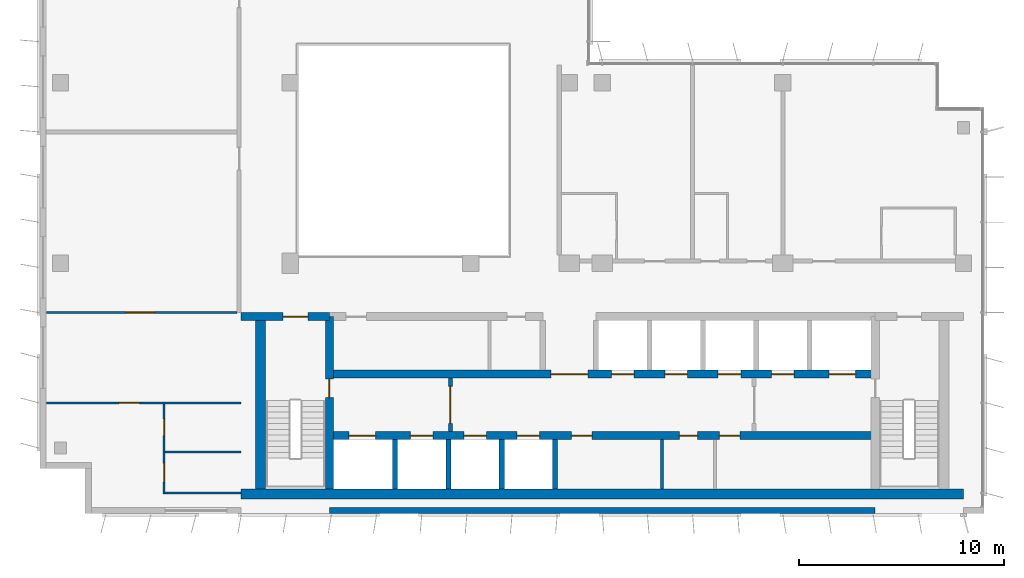
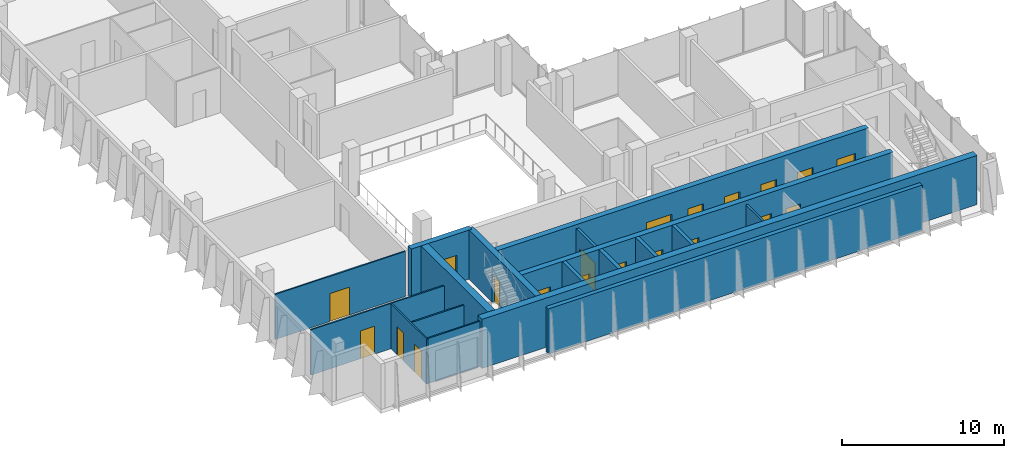
# One storey, part 9 of 15: 20 doors, 18 walls, 20 openings.
"""IFC4 building model written with IfcOpenShell, lengths in metres."""

import ifcopenshell
import ifcopenshell.guid

model = None  # the IFC model being written
_history = None  # IfcOwnerHistory: only IFC2X3 demands one
_inside = {}  # id of a spatial element -> (the spatial element, [elements in it])
_under = {}  # id of a project, library or spatial element -> (it, [spatial elements below it])
_declared = {}  # id of a project -> (the project, [libraries it declares])
_typed = {}  # id of a type object -> (the type object, [elements of that type])
_made_of = {}  # id of a material, layer set ... -> (it, [elements and type objects made of it])


def new_model(schema):
    """Start an empty IFC model of exactly this schema.

    Asked for "IFC4X3", IfcOpenShell would pick the latest addendum, in which some entities
    have other attributes; the version numbers below select the first issue.
    IFC2X3 requires an IfcOwnerHistory on every rooted entity: one is made here for all.
    """
    global model, _history
    if schema == "IFC4X3":
        model = ifcopenshell.file(schema_version=(4, 3, 0, 0))
    else:
        model = ifcopenshell.file(schema=schema)
    _inside.clear()
    _under.clear()
    _declared.clear()
    _typed.clear()
    _made_of.clear()
    _history = None
    if model.schema == "IFC2X3":
        org = make("IfcOrganization", Name="unknown")
        user = make(
            "IfcPersonAndOrganization",
            ThePerson=make("IfcPerson", FamilyName="unknown"),
            TheOrganization=org,
        )
        app = make(
            "IfcApplication",
            ApplicationDeveloper=org,
            Version="unknown",
            ApplicationFullName="unknown",
            ApplicationIdentifier="unknown",
        )
        _history = make(
            "IfcOwnerHistory",
            OwningUser=user,
            OwningApplication=app,
            ChangeAction="ADDED",
            CreationDate=0,
        )
    return model


def make(cls, **values):
    """One entity of the class cls with the attributes given. An attribute that is None is left unset."""
    return model.create_entity(
        cls, **{name: value for name, value in values.items() if value is not None}
    )


def rooted(cls, **values):
    """An entity with a GlobalId (a new one), such as an element, a storey or a relation."""
    return make(cls, GlobalId=ifcopenshell.guid.new(), OwnerHistory=_history, **values)


def si_unit(unit_type, name, prefix=None):
    """IfcSIUnit, for example si_unit("LENGTHUNIT", "METRE", prefix="MILLI")."""
    return make("IfcSIUnit", UnitType=unit_type, Prefix=prefix, Name=name)


def assignment(units):
    """IfcUnitAssignment: the units of a project."""
    return None if units is None else make("IfcUnitAssignment", Units=units)


def point(xyz):
    """IfcCartesianPoint."""
    return None if xyz is None else make("IfcCartesianPoint", Coordinates=xyz)


def direction(xyz):
    """IfcDirection."""
    return None if xyz is None else make("IfcDirection", DirectionRatios=xyz)


def frame(location, z_axis=None, x_axis=None):
    """IfcAxis2Placement3D, a coordinate frame: its origin and axes. An axis left out is left unset."""
    return make(
        "IfcAxis2Placement3D",
        Location=point(location),
        Axis=direction(z_axis),
        RefDirection=direction(x_axis),
    )


def frame_2d(location, x_axis=None):
    """IfcAxis2Placement2D, a coordinate frame in the plane: its origin and x axis."""
    return make(
        "IfcAxis2Placement2D", Location=point(location), RefDirection=direction(x_axis)
    )


def origin():
    """The frame at (0, 0, 0) with its axes left unset."""
    return frame((0.0, 0.0, 0.0))


def place(relative_to, where):
    """IfcLocalPlacement: puts the frame where relative to a parent placement (None: the world)."""
    return make(
        "IfcLocalPlacement", PlacementRelTo=relative_to, RelativePlacement=where
    )


def context(
    kind, dimensions, precision=None, world=None, true_north=None, identifier=None
):
    """IfcGeometricRepresentationContext, for example the 3D "Model" context."""
    return make(
        "IfcGeometricRepresentationContext",
        ContextIdentifier=identifier,
        ContextType=kind,
        CoordinateSpaceDimension=dimensions,
        Precision=precision,
        WorldCoordinateSystem=world,
        TrueNorth=true_north,
    )


def subcontext(parent, identifier, kind, view, scale=None):
    """IfcGeometricRepresentationSubContext, for example "Body" below "Model"."""
    return make(
        "IfcGeometricRepresentationSubContext",
        ContextIdentifier=identifier,
        ContextType=kind,
        ParentContext=parent,
        TargetScale=scale,
        TargetView=view,
    )


def project(units=None, contexts=None):
    """IfcProject with its units and contexts."""
    return rooted(
        "IfcProject",
        Name="project",
        RepresentationContexts=contexts,
        UnitsInContext=assignment(units),
    )


def spatial(cls, under=None, at=None, **own):
    """A site, building, storey or space (cls), placed at a placement, below another one or the project."""
    s = rooted(cls, ObjectPlacement=at, **own)
    if under is not None:
        _under.setdefault(under.id(), (under, []))[1].append(s)
    return s


def profile(cls, at=None, kind="AREA", **sizes):
    """A parametric profile (cls). Its sizes go by their IFC names, for example OverallWidth=200.0."""
    return make(cls, ProfileType=kind, Position=at, **sizes)


def rectangle(**sizes):
    """IfcRectangleProfileDef."""
    return profile("IfcRectangleProfileDef", **sizes)


def extrude(swept, where, along, depth):
    """IfcExtrudedAreaSolid: the profile swept, set in the frame where, extruded along a direction by depth."""
    return make(
        "IfcExtrudedAreaSolid",
        SweptArea=swept,
        Position=where,
        ExtrudedDirection=direction(along),
        Depth=depth,
    )


def shape(context_of_items, identifier, shape_type, items):
    """IfcShapeRepresentation: the items that make up one representation, for example the "Body"."""
    return make(
        "IfcShapeRepresentation",
        ContextOfItems=context_of_items,
        RepresentationIdentifier=identifier,
        RepresentationType=shape_type,
        Items=items,
    )


def material(Name=None, Category=None):
    """IfcMaterial."""
    return make("IfcMaterial", Name=Name, Category=Category)


def layer(
    of_material, thickness, ventilated=None, Name=None, Category=None, Priority=None
):
    """IfcMaterialLayer: one layer of a wall or slab, of a material (None: an air gap)."""
    return make(
        "IfcMaterialLayer",
        Material=of_material,
        LayerThickness=thickness,
        IsVentilated=ventilated,
        Name=Name,
        Category=Category,
        Priority=Priority,
    )


def layer_set(layers, Name=None):
    """IfcMaterialLayerSet."""
    return make("IfcMaterialLayerSet", MaterialLayers=layers, LayerSetName=Name)


def made_of(thing, what):
    """Note that an element or type object is made of a material, layer set ...; save() writes the relation."""
    if what is not None:
        _made_of.setdefault(what.id(), (what, []))[1].append(thing)
    return thing


def type_object(cls, material=None, **own):
    """A type object (cls), such as IfcWallType, which elements share."""
    return made_of(rooted(cls, **own), material)


def element(
    cls,
    number,
    at=None,
    inside=None,
    cuts=None,
    type_object=None,
    material=None,
    context=None,
    identifier="Body",
    shape_type=None,
    held_by="IfcProductDefinitionShape",
    body=None,
    shapes=None,
    **own,
):
    """One element of the class cls, such as IfcWall. Its Tag is "e" and its number.

    at: its placement. inside: the storey or other place that contains it. cuts: it is an
    opening in that element (IfcRelVoidsElement). A single representation is given by context,
    identifier, shape_type and body (its items); several are given by shapes. held_by: the class
    of the entity that holds the representations. save() writes the other relations.
    """
    e = rooted(cls, Tag="e%d" % number, ObjectPlacement=at, **own)
    if body is not None:
        shapes = [shape(context, identifier, shape_type, body)]
    if shapes is not None:
        e.Representation = make(held_by, Representations=shapes)
    if inside is not None:
        _inside.setdefault(inside.id(), (inside, []))[1].append(e)
    if cuts is not None:
        rooted(
            "IfcRelVoidsElement", RelatingBuildingElement=cuts, RelatedOpeningElement=e
        )
    if type_object is not None:
        _typed.setdefault(type_object.id(), (type_object, []))[1].append(e)
    return made_of(e, material)


def fill(opening, filler):
    """IfcRelFillsElement: the door or window that sits in an opening."""
    return rooted(
        "IfcRelFillsElement",
        RelatingOpeningElement=opening,
        RelatedBuildingElement=filler,
    )


def aggregate(whole, parts):
    """IfcRelAggregates: a whole, such as a stair, and the parts it consists of."""
    return rooted("IfcRelAggregates", RelatingObject=whole, RelatedObjects=parts)


def save(model, path):
    """Write the relations noted so far, then the file.

    IfcRelAggregates (storeys below a building ...), IfcRelContainedInSpatialStructure (elements
    in a storey), IfcRelDefinesByType, IfcRelAssociatesMaterial and IfcRelDeclares: one each for
    every whole, place, type object, material and project.
    """
    for whole, parts in _under.values():
        aggregate(whole, parts)
    for where, things in _inside.values():
        rooted(
            "IfcRelContainedInSpatialStructure",
            RelatedElements=things,
            RelatingStructure=where,
        )
    for kind, things in _typed.values():
        rooted("IfcRelDefinesByType", RelatedObjects=things, RelatingType=kind)
    for what, things in _made_of.values():
        rooted("IfcRelAssociatesMaterial", RelatedObjects=things, RelatingMaterial=what)
    for by, libraries in _declared.values():
        rooted("IfcRelDeclares", RelatingContext=by, RelatedDefinitions=libraries)
    model.write(path)


model = new_model("IFC4")

# Units and contexts
model_context = context("Model", 3, precision=1e-05, world=origin(), true_north=direction((0.0, 1.0)))
body_context = subcontext(model_context, "Body", "Model", "MODEL_VIEW")
ifc_project = project(units=[si_unit("LENGTHUNIT", "METRE"), si_unit("AREAUNIT", "SQUARE_METRE"), si_unit("VOLUMEUNIT", "CUBIC_METRE"), si_unit("PLANEANGLEUNIT", "RADIAN"), si_unit("MASSUNIT", "GRAM", prefix="KILO")], contexts=[model_context])

# Site, building, storey
site_placement = place(None, origin())
site = spatial("IfcSite", under=ifc_project, at=site_placement, CompositionType="ELEMENT")
building_placement = place(site_placement, origin())
building = spatial("IfcBuilding", under=site, at=building_placement, Name="Kemantara Hotel Tower", CompositionType="ELEMENT")
storey_placement = place(building_placement, frame((0.0, 0.0, 237.60009765625)))
storey = spatial("IfcBuildingStorey", under=building, at=storey_placement, Name="L59", CompositionType="ELEMENT", Elevation=237.60009765625)

# Walls
ifc_material_1 = material(Name="Bronze anodised aluminium cladding on insulated steel stud wall", Category="steel")
ifc_layer_1 = layer(ifc_material_1, 0.300048828125)
ifc_layer_set_1 = layer_set([ifc_layer_1], Name="Bronze anodised aluminium cladding on insulated steel stud wall")
wall_type_1 = type_object("IfcWallType", Name="BRONZE METAL-CLAD EXTERNAL WALL 300", PredefinedType="STANDARD", material=ifc_layer_set_1)
wall_1_placement = place(storey_placement, frame((14.10009765625, 0.14990234375, 0.0), z_axis=(0.0, 0.0, 1.0), x_axis=(1.0, 0.0, 0.0)))
element("IfcWall", 1, at=wall_1_placement, inside=storey, type_object=wall_type_1, Name="EXTERNAL WALL L59 T4-R08-2", PredefinedType="STANDARD", context=body_context, shape_type="SweptSolid", body=[
    extrude(rectangle(XDim=26.599853515625, YDim=0.300048828125, at=frame_2d((13.2998046875, 0.0))), origin(), (0.0, 0.0, 1.0), 3.39990234375),
])
ifc_material_2 = material(Name="Concrete fc 60 MPa", Category="concrete")
ifc_layer_2 = layer(ifc_material_2, 0.25)
ifc_layer_set_2 = layer_set([ifc_layer_2], Name="Concrete fc 60 MPa")
wall_type_2 = type_object("IfcWallType", Name="CORE WALL 250 FC60", PredefinedType="SHEAR", material=ifc_layer_set_2)
for number, where, z_axis, x_axis, name in (
    (2, (17.300048828125, 1.199951171875, 0.0), (0.0, 0.0, 1.0), (0.0, 1.0, 0.0), "CORE WALL CW-DS17.3"),
    (3, (19.89990234375, 1.199951171875, 0.0), (0.0, 0.0, 1.0), (0.0, 1.0, 0.0), "CORE WALL CW-DS19.9"),
    (4, (22.5, 1.199951171875, 0.0), (0.0, 0.0, 1.0), (0.0, 1.0, 0.0), "CORE WALL CW-DS22.5"),
    (5, (25.10009765625, 1.199951171875, 0.0), (0.0, 0.0, 1.0), (0.0, 1.0, 0.0), "CORE WALL CW-DS25.1"),
):
    element("IfcWall", number, at=place(storey_placement, frame(where, z_axis=z_axis, x_axis=x_axis)), inside=storey, type_object=wall_type_2, Name=name, PredefinedType="SHEAR", context=body_context, shape_type="SweptSolid", body=[
        extrude(rectangle(XDim=2.400146484375, YDim=0.25, at=frame_2d((1.2001953125, 0.0))), origin(), (0.0, 0.0, 1.0), 3.699951171875),
    ])

# Wall, opening, door
ifc_layer_3 = layer(ifc_material_2, 0.39990234375)
ifc_layer_set_3 = layer_set([ifc_layer_3], Name="Concrete fc 60 MPa")
wall_type_3 = type_object("IfcWallType", Name="CORE WALL 400 FC60", PredefinedType="SHEAR", material=ifc_layer_set_3)
wall_2_placement = place(storey_placement, frame((9.800048828125, 9.60009765625, 0.0), z_axis=(0.0, 0.0, 1.0), x_axis=(1.0, 0.0, 0.0)))
wall_2 = element("IfcWall", 6, at=wall_2_placement, inside=storey, type_object=wall_type_3, Name="CORE WALL CW-N1", PredefinedType="SHEAR", context=body_context, shape_type="SweptSolid", body=[
    extrude(rectangle(XDim=4.300048828125, YDim=0.39990234375, at=frame_2d((2.14990234375, 0.0))), origin(), (0.0, 0.0, 1.0), 3.699951171875),
])
opening_1_placement = place(wall_2_placement, frame((2.050048828125, 0.0, 0.0)))
opening_1 = element("IfcOpeningElement", 7, at=opening_1_placement, cuts=wall_2, Name="Opening C36-ST1-C", PredefinedType="OPENING", context=body_context, shape_type="SweptSolid", body=[
    extrude(rectangle(XDim=1.199951171875, YDim=2.10009765625, at=frame_2d((0.60009765625, 1.050048828125))), frame((0.0, 0.2099609375, 0.0), z_axis=(0.0, -1.0, 0.0), x_axis=(1.0, 0.0, 0.0)), (0.0, 0.0, 1.0), 0.419921875),
])
ifc_material_3 = material(Name="Steel fire door", Category="steel")
door_type_1 = type_object("IfcDoorType", Name="Fire door FD90 1200 x 2100", OperationType="NOTDEFINED", PredefinedType="DOOR", material=ifc_material_3)
door_1_placement = place(opening_1_placement, frame((1.199951171875, 0.0, 0.0), z_axis=(0.0, 0.0, 1.0), x_axis=(-1.0, 0.0, 0.0)))
door_1 = element("IfcDoor", 8, at=door_1_placement, inside=storey, type_object=door_type_1, Name="Stair ST1 door to corridor", OperationType="SINGLE_SWING_LEFT", OverallHeight=2.10009765625, OverallWidth=1.199951171875, PredefinedType="DOOR", context=body_context, shape_type="SweptSolid", body=[
    extrude(rectangle(XDim=1.199951171875, YDim=2.10009765625, at=frame_2d((0.60009765625, 1.050048828125))), frame((0.0, 0.02490234375, 0.0), z_axis=(0.0, -1.0, 0.0), x_axis=(1.0, 0.0, 0.0)), (0.0, 0.0, 1.0), 0.050048828125),
])
fill(opening_1, door_1)

# Wall, openings, doors
wall_3_placement = place(storey_placement, frame((14.10009765625, 3.800048828125, 0.0), z_axis=(0.0, 0.0, 1.0), x_axis=(1.0, 0.0, 0.0)))
wall_3 = element("IfcWall", 9, at=wall_3_placement, inside=storey, type_object=wall_type_3, Name="CORE WALL CW-L1", PredefinedType="SHEAR", context=body_context, shape_type="SweptSolid", body=[
    extrude(rectangle(XDim=26.599853515625, YDim=0.39990234375, at=frame_2d((13.2998046875, 0.0))), origin(), (0.0, 0.0, 1.0), 3.699951171875),
])
opening_2_placement = place(wall_3_placement, frame((0.949951171875, 0.0, 0.0)))
opening_2 = element("IfcOpeningElement", 10, at=opening_2_placement, cuts=wall_3, Name="Opening C36-LD-FF1", PredefinedType="OPENING", context=body_context, shape_type="SweptSolid", body=[
    extrude(rectangle(XDim=1.300048828125, YDim=2.10009765625, at=frame_2d((0.64990234375, 1.050048828125))), frame((0.0, 0.2099609375, 0.0), z_axis=(0.0, -1.0, 0.0), x_axis=(1.0, 0.0, 0.0)), (0.0, 0.0, 1.0), 0.419921875),
])
opening_3_placement = place(wall_3_placement, frame((3.949951171875, 0.0, 0.0)))
opening_3 = element("IfcOpeningElement", 11, at=opening_3_placement, cuts=wall_3, Name="Opening C36-LD-SV1", PredefinedType="OPENING", context=body_context, shape_type="SweptSolid", body=[
    extrude(rectangle(XDim=1.10009765625, YDim=2.10009765625, at=frame_2d((0.550048828125, 1.050048828125))), frame((0.0, 0.2099609375, 0.0), z_axis=(0.0, -1.0, 0.0), x_axis=(1.0, 0.0, 0.0)), (0.0, 0.0, 1.0), 0.419921875),
])
opening_4_placement = place(wall_3_placement, frame((6.550048828125, 0.0, 0.0)))
opening_4 = element("IfcOpeningElement", 12, at=opening_4_placement, cuts=wall_3, Name="Opening C36-LD-SV2", PredefinedType="OPENING", context=body_context, shape_type="SweptSolid", body=[
    extrude(rectangle(XDim=1.10009765625, YDim=2.10009765625, at=frame_2d((0.550048828125, 1.050048828125))), frame((0.0, 0.2099609375, 0.0), z_axis=(0.0, -1.0, 0.0), x_axis=(1.0, 0.0, 0.0)), (0.0, 0.0, 1.0), 0.419921875),
])
opening_5_placement = place(wall_3_placement, frame((9.14990234375, 0.0, 0.0)))
opening_5 = element("IfcOpeningElement", 13, at=opening_5_placement, cuts=wall_3, Name="Opening C36-LD-SV3", PredefinedType="OPENING", context=body_context, shape_type="SweptSolid", body=[
    extrude(rectangle(XDim=1.10009765625, YDim=2.10009765625, at=frame_2d((0.550048828125, 1.050048828125))), frame((0.0, 0.2099609375, 0.0), z_axis=(0.0, -1.0, 0.0), x_axis=(1.0, 0.0, 0.0)), (0.0, 0.0, 1.0), 0.419921875),
])
opening_6_placement = place(wall_3_placement, frame((11.800048828125, 0.0, 0.0)))
opening_6 = element("IfcOpeningElement", 14, at=opening_6_placement, cuts=wall_3, Name="Opening C36-R-SM1", PredefinedType="OPENING", context=body_context, shape_type="SweptSolid", body=[
    extrude(rectangle(XDim=1.0, YDim=2.10009765625, at=frame_2d((0.5, 1.050048828125))), frame((0.0, 0.2099609375, 0.0), z_axis=(0.0, -1.0, 0.0), x_axis=(1.0, 0.0, 0.0)), (0.0, 0.0, 1.0), 0.419921875),
])
opening_7_placement = place(wall_3_placement, frame((17.050048828125, 0.0, 0.0)))
opening_7 = element("IfcOpeningElement", 15, at=opening_7_placement, cuts=wall_3, Name="Opening C36-R-SM2", PredefinedType="OPENING", context=body_context, shape_type="SweptSolid", body=[
    extrude(rectangle(XDim=0.89990234375, YDim=2.10009765625, at=frame_2d((0.449951171875, 1.050048828125))), frame((0.0, 0.2099609375, 0.0), z_axis=(0.0, -1.0, 0.0), x_axis=(1.0, 0.0, 0.0)), (0.0, 0.0, 1.0), 0.419921875),
])
opening_8_placement = place(wall_3_placement, frame((19.0, 0.0, 0.0)))
opening_8 = element("IfcOpeningElement", 16, at=opening_8_placement, cuts=wall_3, Name="Opening C36-R-SM3", PredefinedType="OPENING", context=body_context, shape_type="SweptSolid", body=[
    extrude(rectangle(XDim=1.0, YDim=2.10009765625, at=frame_2d((0.5, 1.050048828125))), frame((0.0, 0.2099609375, 0.0), z_axis=(0.0, -1.0, 0.0), x_axis=(1.0, 0.0, 0.0)), (0.0, 0.0, 1.0), 0.419921875),
])
door_type_2 = type_object("IfcDoorType", Name="Fire door FD30S 1000 x 2100", OperationType="NOTDEFINED", PredefinedType="DOOR", material=ifc_material_3)
door_2_placement = place(opening_6_placement, frame((1.0, 0.0, 0.0), z_axis=(0.0, 0.0, 1.0), x_axis=(-1.0, 0.0, 0.0)))
door_2 = element("IfcDoor", 17, at=door_2_placement, inside=storey, type_object=door_type_2, Name="Ice And Vending Room door", OperationType="SINGLE_SWING_RIGHT", OverallHeight=2.10009765625, OverallWidth=1.0, PredefinedType="DOOR", context=body_context, shape_type="SweptSolid", body=[
    extrude(rectangle(XDim=1.0, YDim=2.10009765625, at=frame_2d((0.5, 1.050048828125))), frame((0.0, 0.02490234375, 0.0), z_axis=(0.0, -1.0, 0.0), x_axis=(1.0, 0.0, 0.0)), (0.0, 0.0, 1.0), 0.050048828125),
])
fill(opening_6, door_2)
door_3_placement = place(opening_8_placement, frame((1.0, 0.0, 0.0), z_axis=(0.0, 0.0, 1.0), x_axis=(-1.0, 0.0, 0.0)))
door_3 = element("IfcDoor", 18, at=door_3_placement, inside=storey, type_object=door_type_2, Name="Guest Pantry door", OperationType="SINGLE_SWING_LEFT", OverallHeight=2.10009765625, OverallWidth=1.0, PredefinedType="DOOR", context=body_context, shape_type="SweptSolid", body=[
    extrude(rectangle(XDim=1.0, YDim=2.10009765625, at=frame_2d((0.5, 1.050048828125))), frame((0.0, 0.02490234375, 0.0), z_axis=(0.0, -1.0, 0.0), x_axis=(1.0, 0.0, 0.0)), (0.0, 0.0, 1.0), 0.050048828125),
])
fill(opening_8, door_3)
door_type_3 = type_object("IfcDoorType", Name="Fire door FD30S 900 x 2100", OperationType="NOTDEFINED", PredefinedType="DOOR", material=ifc_material_3)
door_4_placement = place(opening_7_placement, frame((0.89990234375, 0.0, 0.0), z_axis=(0.0, 0.0, 1.0), x_axis=(-1.0, 0.0, 0.0)))
door_4 = element("IfcDoor", 19, at=door_4_placement, inside=storey, type_object=door_type_3, Name="Staff Wc door", OperationType="SINGLE_SWING_LEFT", OverallHeight=2.10009765625, OverallWidth=0.89990234375, PredefinedType="DOOR", context=body_context, shape_type="SweptSolid", body=[
    extrude(rectangle(XDim=0.89990234375, YDim=2.10009765625, at=frame_2d((0.449951171875, 1.050048828125))), frame((0.0, 0.02490234375, 0.0), z_axis=(0.0, -1.0, 0.0), x_axis=(1.0, 0.0, 0.0)), (0.0, 0.0, 1.0), 0.050048828125),
])
fill(opening_7, door_4)
ifc_material_4 = material(Name="Stainless steel lift door", Category="steel")
door_type_4 = type_object("IfcDoorType", Name="Lift landing door 1100 x 2100 FD60", OperationType="DOUBLE_DOOR_SLIDING", PredefinedType="DOOR", material=ifc_material_4)
door_5_placement = place(opening_3_placement, origin())
door_5 = element("IfcDoor", 20, at=door_5_placement, inside=storey, type_object=door_type_4, Name="Lift SV1 landing door", OperationType="DOUBLE_DOOR_SLIDING", OverallHeight=2.10009765625, OverallWidth=1.10009765625, PredefinedType="DOOR", context=body_context, shape_type="SweptSolid", body=[
    extrude(rectangle(XDim=1.10009765625, YDim=2.10009765625, at=frame_2d((0.550048828125, 1.050048828125))), frame((0.0, 0.02490234375, 0.0), z_axis=(0.0, -1.0, 0.0), x_axis=(1.0, 0.0, 0.0)), (0.0, 0.0, 1.0), 0.050048828125),
])
fill(opening_3, door_5)
door_6_placement = place(opening_4_placement, origin())
door_6 = element("IfcDoor", 21, at=door_6_placement, inside=storey, type_object=door_type_4, Name="Lift SV2 landing door", OperationType="DOUBLE_DOOR_SLIDING", OverallHeight=2.10009765625, OverallWidth=1.10009765625, PredefinedType="DOOR", context=body_context, shape_type="SweptSolid", body=[
    extrude(rectangle(XDim=1.10009765625, YDim=2.10009765625, at=frame_2d((0.550048828125, 1.050048828125))), frame((0.0, 0.02490234375, 0.0), z_axis=(0.0, -1.0, 0.0), x_axis=(1.0, 0.0, 0.0)), (0.0, 0.0, 1.0), 0.050048828125),
])
fill(opening_4, door_6)
door_7_placement = place(opening_5_placement, origin())
door_7 = element("IfcDoor", 22, at=door_7_placement, inside=storey, type_object=door_type_4, Name="Lift SV3 landing door", OperationType="DOUBLE_DOOR_SLIDING", OverallHeight=2.10009765625, OverallWidth=1.10009765625, PredefinedType="DOOR", context=body_context, shape_type="SweptSolid", body=[
    extrude(rectangle(XDim=1.10009765625, YDim=2.10009765625, at=frame_2d((0.550048828125, 1.050048828125))), frame((0.0, 0.02490234375, 0.0), z_axis=(0.0, -1.0, 0.0), x_axis=(1.0, 0.0, 0.0)), (0.0, 0.0, 1.0), 0.050048828125),
])
fill(opening_5, door_7)
door_type_5 = type_object("IfcDoorType", Name="Lift landing door 1300 x 2100 FD90", OperationType="DOUBLE_DOOR_SLIDING", PredefinedType="DOOR", material=ifc_material_4)
door_8_placement = place(opening_2_placement, origin())
door_8 = element("IfcDoor", 23, at=door_8_placement, inside=storey, type_object=door_type_5, Name="Lift FF1 landing door", OperationType="DOUBLE_DOOR_SLIDING", OverallHeight=2.10009765625, OverallWidth=1.300048828125, PredefinedType="DOOR", context=body_context, shape_type="SweptSolid", body=[
    extrude(rectangle(XDim=1.300048828125, YDim=2.10009765625, at=frame_2d((0.64990234375, 1.050048828125))), frame((0.0, 0.02490234375, 0.0), z_axis=(0.0, -1.0, 0.0), x_axis=(1.0, 0.0, 0.0)), (0.0, 0.0, 1.0), 0.050048828125),
])
fill(opening_2, door_8)

wall_4_placement = place(storey_placement, frame((14.10009765625, 6.800048828125, 0.0), z_axis=(0.0, 0.0, 1.0), x_axis=(1.0, 0.0, 0.0)))
wall_4 = element("IfcWall", 24, at=wall_4_placement, inside=storey, type_object=wall_type_3, Name="CORE WALL CW-L2", PredefinedType="SHEAR", context=body_context, shape_type="SweptSolid", body=[
    extrude(rectangle(XDim=26.599853515625, YDim=0.39990234375, at=frame_2d((13.2998046875, 0.0))), origin(), (0.0, 0.0, 1.0), 3.699951171875),
])
opening_9_placement = place(wall_4_placement, frame((10.800048828125, 0.0, 0.0)))
opening_9 = element("IfcOpeningElement", 25, at=opening_9_placement, cuts=wall_4, Name="Opening C36-VL", PredefinedType="OPENING", context=body_context, shape_type="SweptSolid", body=[
    extrude(rectangle(XDim=1.800048828125, YDim=2.10009765625, at=frame_2d((0.89990234375, 1.050048828125))), frame((0.0, 0.2099609375, 0.0), z_axis=(0.0, -1.0, 0.0), x_axis=(1.0, 0.0, 0.0)), (0.0, 0.0, 1.0), 0.419921875),
])
opening_10_placement = place(wall_4_placement, frame((13.75, 0.0, 0.0)))
opening_10 = element("IfcOpeningElement", 26, at=opening_10_placement, cuts=wall_4, Name="Opening C36-LD-HR1", PredefinedType="OPENING", context=body_context, shape_type="SweptSolid", body=[
    extrude(rectangle(XDim=1.10009765625, YDim=2.10009765625, at=frame_2d((0.550048828125, 1.050048828125))), frame((0.0, 0.2099609375, 0.0), z_axis=(0.0, -1.0, 0.0), x_axis=(1.0, 0.0, 0.0)), (0.0, 0.0, 1.0), 0.419921875),
])
opening_11_placement = place(wall_4_placement, frame((16.35009765625, 0.0, 0.0)))
opening_11 = element("IfcOpeningElement", 27, at=opening_11_placement, cuts=wall_4, Name="Opening C36-LD-HR2", PredefinedType="OPENING", context=body_context, shape_type="SweptSolid", body=[
    extrude(rectangle(XDim=1.10009765625, YDim=2.10009765625, at=frame_2d((0.550048828125, 1.050048828125))), frame((0.0, 0.2099609375, 0.0), z_axis=(0.0, -1.0, 0.0), x_axis=(1.0, 0.0, 0.0)), (0.0, 0.0, 1.0), 0.419921875),
])
opening_12_placement = place(wall_4_placement, frame((18.949951171875, 0.0, 0.0)))
opening_12 = element("IfcOpeningElement", 28, at=opening_12_placement, cuts=wall_4, Name="Opening C36-LD-HR3", PredefinedType="OPENING", context=body_context, shape_type="SweptSolid", body=[
    extrude(rectangle(XDim=1.10009765625, YDim=2.10009765625, at=frame_2d((0.550048828125, 1.050048828125))), frame((0.0, 0.2099609375, 0.0), z_axis=(0.0, -1.0, 0.0), x_axis=(1.0, 0.0, 0.0)), (0.0, 0.0, 1.0), 0.419921875),
])
opening_13_placement = place(wall_4_placement, frame((21.550048828125, 0.0, 0.0)))
opening_13 = element("IfcOpeningElement", 29, at=opening_13_placement, cuts=wall_4, Name="Opening C36-LD-HR4", PredefinedType="OPENING", context=body_context, shape_type="SweptSolid", body=[
    extrude(rectangle(XDim=1.10009765625, YDim=2.10009765625, at=frame_2d((0.550048828125, 1.050048828125))), frame((0.0, 0.2099609375, 0.0), z_axis=(0.0, -1.0, 0.0), x_axis=(1.0, 0.0, 0.0)), (0.0, 0.0, 1.0), 0.419921875),
])
opening_14_placement = place(wall_4_placement, frame((24.35009765625, 0.0, 0.0)))
opening_14 = element("IfcOpeningElement", 30, at=opening_14_placement, cuts=wall_4, Name="Opening C36-LD-FF2", PredefinedType="OPENING", context=body_context, shape_type="SweptSolid", body=[
    extrude(rectangle(XDim=1.300048828125, YDim=2.10009765625, at=frame_2d((0.64990234375, 1.050048828125))), frame((0.0, 0.2099609375, 0.0), z_axis=(0.0, -1.0, 0.0), x_axis=(1.0, 0.0, 0.0)), (0.0, 0.0, 1.0), 0.419921875),
])
door_type_6 = type_object("IfcDoorType", Name="Fire door pair FD60 1800 x 2100", OperationType="DOUBLE_DOOR_SINGLE_SWING", PredefinedType="DOOR", material=ifc_material_3)
door_9_placement = place(opening_9_placement, frame((1.800048828125, 0.0, 0.0), z_axis=(0.0, 0.0, 1.0), x_axis=(-1.0, 0.0, 0.0)))
door_9 = element("IfcDoor", 31, at=door_9_placement, inside=storey, type_object=door_type_6, Name="Lift lobby entry door", OperationType="DOUBLE_DOOR_SINGLE_SWING", OverallHeight=2.10009765625, OverallWidth=1.800048828125, PredefinedType="DOOR", context=body_context, shape_type="SweptSolid", body=[
    extrude(rectangle(XDim=1.800048828125, YDim=2.10009765625, at=frame_2d((0.89990234375, 1.050048828125))), frame((0.0, 0.02490234375, 0.0), z_axis=(0.0, -1.0, 0.0), x_axis=(1.0, 0.0, 0.0)), (0.0, 0.0, 1.0), 0.050048828125),
])
fill(opening_9, door_9)
door_10_placement = place(opening_10_placement, origin())
door_10 = element("IfcDoor", 32, at=door_10_placement, inside=storey, type_object=door_type_4, Name="Lift HR1 landing door", OperationType="DOUBLE_DOOR_SLIDING", OverallHeight=2.10009765625, OverallWidth=1.10009765625, PredefinedType="DOOR", context=body_context, shape_type="SweptSolid", body=[
    extrude(rectangle(XDim=1.10009765625, YDim=2.10009765625, at=frame_2d((0.550048828125, 1.050048828125))), frame((0.0, 0.02490234375, 0.0), z_axis=(0.0, -1.0, 0.0), x_axis=(1.0, 0.0, 0.0)), (0.0, 0.0, 1.0), 0.050048828125),
])
fill(opening_10, door_10)
door_11_placement = place(opening_11_placement, origin())
door_11 = element("IfcDoor", 33, at=door_11_placement, inside=storey, type_object=door_type_4, Name="Lift HR2 landing door", OperationType="DOUBLE_DOOR_SLIDING", OverallHeight=2.10009765625, OverallWidth=1.10009765625, PredefinedType="DOOR", context=body_context, shape_type="SweptSolid", body=[
    extrude(rectangle(XDim=1.10009765625, YDim=2.10009765625, at=frame_2d((0.550048828125, 1.050048828125))), frame((0.0, 0.02490234375, 0.0), z_axis=(0.0, -1.0, 0.0), x_axis=(1.0, 0.0, 0.0)), (0.0, 0.0, 1.0), 0.050048828125),
])
fill(opening_11, door_11)
door_12_placement = place(opening_12_placement, origin())
door_12 = element("IfcDoor", 34, at=door_12_placement, inside=storey, type_object=door_type_4, Name="Lift HR3 landing door", OperationType="DOUBLE_DOOR_SLIDING", OverallHeight=2.10009765625, OverallWidth=1.10009765625, PredefinedType="DOOR", context=body_context, shape_type="SweptSolid", body=[
    extrude(rectangle(XDim=1.10009765625, YDim=2.10009765625, at=frame_2d((0.550048828125, 1.050048828125))), frame((0.0, 0.02490234375, 0.0), z_axis=(0.0, -1.0, 0.0), x_axis=(1.0, 0.0, 0.0)), (0.0, 0.0, 1.0), 0.050048828125),
])
fill(opening_12, door_12)
door_13_placement = place(opening_13_placement, origin())
door_13 = element("IfcDoor", 35, at=door_13_placement, inside=storey, type_object=door_type_4, Name="Lift HR4 landing door", OperationType="DOUBLE_DOOR_SLIDING", OverallHeight=2.10009765625, OverallWidth=1.10009765625, PredefinedType="DOOR", context=body_context, shape_type="SweptSolid", body=[
    extrude(rectangle(XDim=1.10009765625, YDim=2.10009765625, at=frame_2d((0.550048828125, 1.050048828125))), frame((0.0, 0.02490234375, 0.0), z_axis=(0.0, -1.0, 0.0), x_axis=(1.0, 0.0, 0.0)), (0.0, 0.0, 1.0), 0.050048828125),
])
fill(opening_13, door_13)
door_14_placement = place(opening_14_placement, origin())
door_14 = element("IfcDoor", 36, at=door_14_placement, inside=storey, type_object=door_type_5, Name="Lift FF2 landing door", OperationType="DOUBLE_DOOR_SLIDING", OverallHeight=2.10009765625, OverallWidth=1.300048828125, PredefinedType="DOOR", context=body_context, shape_type="SweptSolid", body=[
    extrude(rectangle(XDim=1.300048828125, YDim=2.10009765625, at=frame_2d((0.64990234375, 1.050048828125))), frame((0.0, 0.02490234375, 0.0), z_axis=(0.0, -1.0, 0.0), x_axis=(1.0, 0.0, 0.0)), (0.0, 0.0, 1.0), 0.050048828125),
])
fill(opening_14, door_14)

# Wall, opening, door
wall_5_placement = place(storey_placement, frame((14.10009765625, 1.199951171875, 0.0), z_axis=(0.0, 0.0, 1.0), x_axis=(0.0, 1.0, 0.0)))
wall_5 = element("IfcWall", 37, at=wall_5_placement, inside=storey, type_object=wall_type_3, Name="CORE WALL CW-ST1E", PredefinedType="SHEAR", context=body_context, shape_type="SweptSolid", body=[
    extrude(rectangle(XDim=8.400146484375, YDim=0.39990234375, at=frame_2d((4.2001953125, 0.0))), origin(), (0.0, 0.0, 1.0), 3.699951171875),
])
opening_15_placement = place(wall_5_placement, frame((4.449951171875, 0.0, 0.0)))
opening_15 = element("IfcOpeningElement", 38, at=opening_15_placement, cuts=wall_5, Name="Opening C36-ST1-F", PredefinedType="OPENING", context=body_context, shape_type="SweptSolid", body=[
    extrude(rectangle(XDim=0.89990234375, YDim=2.10009765625, at=frame_2d((0.449951171875, 1.050048828125))), frame((0.0, 0.2099609375, 0.0), z_axis=(0.0, -1.0, 0.0), x_axis=(1.0, 0.0, 0.0)), (0.0, 0.0, 1.0), 0.419921875),
])
door_type_7 = type_object("IfcDoorType", Name="Fire door FD90 900 x 2100", OperationType="NOTDEFINED", PredefinedType="DOOR", material=ifc_material_3)
door_15_placement = place(opening_15_placement, origin())
door_15 = element("IfcDoor", 39, at=door_15_placement, inside=storey, type_object=door_type_7, Name="Stair ST1 door to firefighting lobby", OperationType="SINGLE_SWING_RIGHT", OverallHeight=2.10009765625, OverallWidth=0.89990234375, PredefinedType="DOOR", context=body_context, shape_type="SweptSolid", body=[
    extrude(rectangle(XDim=0.89990234375, YDim=2.10009765625, at=frame_2d((0.449951171875, 1.050048828125))), frame((0.0, 0.02490234375, 0.0), z_axis=(0.0, -1.0, 0.0), x_axis=(1.0, 0.0, 0.0)), (0.0, 0.0, 1.0), 0.050048828125),
])
fill(opening_15, door_15)

# Walls
ifc_layer_4 = layer(ifc_material_2, 0.5)
ifc_layer_set_4 = layer_set([ifc_layer_4], Name="Concrete fc 60 MPa")
wall_type_4 = type_object("IfcWallType", Name="CORE WALL 500 FC60", PredefinedType="SHEAR", material=ifc_layer_set_4)
wall_6_placement = place(storey_placement, frame((9.800048828125, 0.949951171875, 0.0), z_axis=(0.0, 0.0, 1.0), x_axis=(1.0, 0.0, 0.0)))
element("IfcWall", 40, at=wall_6_placement, inside=storey, type_object=wall_type_4, Name="CORE WALL CW-S", PredefinedType="SHEAR", context=body_context, shape_type="SweptSolid", body=[
    extrude(rectangle(XDim=35.199951171875, YDim=0.5, at=frame_2d((17.60009765625, 0.0))), origin(), (0.0, 0.0, 1.0), 3.699951171875),
])
wall_7_placement = place(storey_placement, frame((10.75, 1.199951171875, 0.0), z_axis=(0.0, 0.0, 1.0), x_axis=(0.0, 1.0, 0.0)))
element("IfcWall", 41, at=wall_7_placement, inside=storey, type_object=wall_type_4, Name="CORE WALL CW-W", PredefinedType="SHEAR", context=body_context, shape_type="SweptSolid", body=[
    extrude(rectangle(XDim=8.60009765625, YDim=0.5, at=frame_2d((4.300048828125, 0.0))), origin(), (0.0, 0.0, 1.0), 3.699951171875),
])
ifc_material_5 = material(Name="Gypsum board partition")
ifc_layer_5 = layer(ifc_material_5, 0.14990234375)
ifc_layer_set_5 = layer_set([ifc_layer_5], Name="Gypsum board partition")
wall_type_5 = type_object("IfcWallType", Name="Gypsum board partition 150 mm", PredefinedType="PARTITIONING", material=ifc_layer_set_5)
wall_8_placement = place(storey_placement, frame((30.300048828125, 1.199951171875, 0.0), z_axis=(0.0, 0.0, 1.0), x_axis=(0.0, 1.0, 0.0)))
element("IfcWall", 42, at=wall_8_placement, inside=storey, type_object=wall_type_5, Name="Core room partition", PredefinedType="PARTITIONING", context=body_context, shape_type="SweptSolid", body=[
    extrude(rectangle(XDim=2.400146484375, YDim=0.14990234375, at=frame_2d((1.2001953125, 0.0))), origin(), (0.0, 0.0, 1.0), 3.39990234375),
])

# Wall, opening, door
ifc_material_6 = material(Name="Gypsum board shaft wall")
ifc_layer_6 = layer(ifc_material_6, 0.199951171875)
ifc_layer_set_6 = layer_set([ifc_layer_6], Name="Gypsum board shaft wall")
wall_type_6 = type_object("IfcWallType", Name="Gypsum board shaft wall 200 mm", PredefinedType="PARTITIONING", material=ifc_layer_set_6)
wall_9_placement = place(storey_placement, frame((20.0, 4.0, 0.0), z_axis=(0.0, 0.0, 1.0), x_axis=(0.0, 1.0, 0.0)))
wall_9 = element("IfcWall", 43, at=wall_9_placement, inside=storey, type_object=wall_type_6, Name="Firefighting lobby partition west", PredefinedType="PARTITIONING", context=body_context, shape_type="SweptSolid", body=[
    extrude(rectangle(XDim=2.60009765625, YDim=0.199951171875, at=frame_2d((1.300048828125, 0.0))), origin(), (0.0, 0.0, 1.0), 3.39990234375),
])
opening_16_placement = place(wall_9_placement, frame((0.39990234375, 0.0, 0.0)))
opening_16 = element("IfcOpeningElement", 44, at=opening_16_placement, cuts=wall_9, Name="Opening C36-FFW", PredefinedType="OPENING", context=body_context, shape_type="SweptSolid", body=[
    extrude(rectangle(XDim=1.800048828125, YDim=2.10009765625, at=frame_2d((0.89990234375, 1.050048828125))), frame((0.0, 0.10986328125, 0.0), z_axis=(0.0, -1.0, 0.0), x_axis=(1.0, 0.0, 0.0)), (0.0, 0.0, 1.0), 0.219970703125),
])
door_16_placement = place(opening_16_placement, origin())
door_16 = element("IfcDoor", 45, at=door_16_placement, inside=storey, type_object=door_type_6, Name="Firefighting lobby door west", OperationType="DOUBLE_DOOR_SINGLE_SWING", OverallHeight=2.10009765625, OverallWidth=1.800048828125, PredefinedType="DOOR", context=body_context, shape_type="SweptSolid", body=[
    extrude(rectangle(XDim=1.800048828125, YDim=2.10009765625, at=frame_2d((0.89990234375, 1.050048828125))), frame((0.0, 0.02490234375, 0.0), z_axis=(0.0, -1.0, 0.0), x_axis=(1.0, 0.0, 0.0)), (0.0, 0.0, 1.0), 0.050048828125),
])
fill(opening_16, door_16)

# Wall, openings, doors
ifc_material_7 = material(Name="Gypsum board partition on steel studs, 100 mm", Category="steel")
ifc_layer_7 = layer(ifc_material_7, 0.10009765625)
ifc_layer_set_7 = layer_set([ifc_layer_7], Name="Gypsum board partition on steel studs, 100 mm")
wall_type_7 = type_object("IfcWallType", Name="ROOM PARTITION 100", PredefinedType="PARTITIONING", material=ifc_layer_set_7)
wall_10_placement = place(storey_placement, frame((6.050048828125, 5.35009765625, 0.0), z_axis=(0.0, 0.0, 1.0), x_axis=(0.0, -1.0, 0.0)))
wall_10 = element("IfcWall", 46, at=wall_10_placement, inside=storey, type_object=wall_type_7, Name="ROOM PARTITION 100 029", PredefinedType="PARTITIONING", context=body_context, shape_type="SweptSolid", body=[
    extrude(rectangle(XDim=4.400146484375, YDim=0.10009765625, at=frame_2d((2.2001953125, 0.0))), origin(), (0.0, 0.0, 1.0), 3.39990234375),
])
opening_17_placement = place(wall_10_placement, frame((2.89990234375, 0.0, 0.0)))
opening_17 = element("IfcOpeningElement", 47, at=opening_17_placement, cuts=wall_10, Name="Opening F29-010", PredefinedType="OPENING", context=body_context, shape_type="SweptSolid", body=[
    extrude(rectangle(XDim=0.89990234375, YDim=2.10009765625, at=frame_2d((0.449951171875, 1.050048828125))), frame((0.0, 0.06005859375, 0.0), z_axis=(0.0, -1.0, 0.0), x_axis=(1.0, 0.0, 0.0)), (0.0, 0.0, 1.0), 0.1201171875),
])
opening_18_placement = place(wall_10_placement, frame((0.75, 0.0, 0.0)))
opening_18 = element("IfcOpeningElement", 48, at=opening_18_placement, cuts=wall_10, Name="Opening F29-011", PredefinedType="OPENING", context=body_context, shape_type="SweptSolid", body=[
    extrude(rectangle(XDim=0.800048828125, YDim=2.10009765625, at=frame_2d((0.39990234375, 1.050048828125))), frame((0.0, 0.06005859375, 0.0), z_axis=(0.0, -1.0, 0.0), x_axis=(1.0, 0.0, 0.0)), (0.0, 0.0, 1.0), 0.1201171875),
])
ifc_material_8 = material(Name="Hardwood veneer door leaf with steel frame", Category="steel")
door_type_8 = type_object("IfcDoorType", Name="BATHROOM DOOR 900 X 2100", OperationType="NOTDEFINED", PredefinedType="DOOR", material=ifc_material_8)
door_17_placement = place(opening_17_placement, origin())
door_17 = element("IfcDoor", 49, at=door_17_placement, inside=storey, type_object=door_type_8, Name="BATHROOM DOOR F29-010", OperationType="SINGLE_SWING_LEFT", OverallHeight=2.10009765625, OverallWidth=0.89990234375, PredefinedType="DOOR", context=body_context, shape_type="SweptSolid", body=[
    extrude(rectangle(XDim=0.89990234375, YDim=2.10009765625, at=frame_2d((0.449951171875, 1.050048828125))), frame((0.0, 0.02490234375, 0.0), z_axis=(0.0, -1.0, 0.0), x_axis=(1.0, 0.0, 0.0)), (0.0, 0.0, 1.0), 0.050048828125),
])
fill(opening_17, door_17)
door_type_9 = type_object("IfcDoorType", Name="WARDROBE DOOR 800 X 2100", OperationType="NOTDEFINED", PredefinedType="DOOR", material=ifc_material_8)
door_18_placement = place(opening_18_placement, origin())
door_18 = element("IfcDoor", 50, at=door_18_placement, inside=storey, type_object=door_type_9, Name="WARDROBE DOOR F29-011", OperationType="SINGLE_SWING_LEFT", OverallHeight=2.10009765625, OverallWidth=0.800048828125, PredefinedType="DOOR", context=body_context, shape_type="SweptSolid", body=[
    extrude(rectangle(XDim=0.800048828125, YDim=2.10009765625, at=frame_2d((0.39990234375, 1.050048828125))), frame((0.0, 0.02490234375, 0.0), z_axis=(0.0, -1.0, 0.0), x_axis=(1.0, 0.0, 0.0)), (0.0, 0.0, 1.0), 0.050048828125),
])
fill(opening_18, door_18)

# Wall, opening, door
wall_11_placement = place(storey_placement, frame((9.60009765625, 9.800048828125, 0.0), z_axis=(0.0, 0.0, 1.0), x_axis=(-1.0, 0.0, 0.0)))
wall_11 = element("IfcWall", 51, at=wall_11_placement, inside=storey, type_object=wall_type_7, Name="ROOM PARTITION 100 030", PredefinedType="PARTITIONING", context=body_context, shape_type="SweptSolid", body=[
    extrude(rectangle(XDim=9.2900390625, YDim=0.10009765625, at=frame_2d((4.64501953125, 0.0))), origin(), (0.0, 0.0, 1.0), 3.39990234375),
])
opening_19_placement = place(wall_11_placement, frame((4.0, 0.0, 0.0)))
opening_19 = element("IfcOpeningElement", 52, at=opening_19_placement, cuts=wall_11, Name="Opening F29-008", PredefinedType="OPENING", context=body_context, shape_type="SweptSolid", body=[
    extrude(rectangle(XDim=1.39990234375, YDim=2.10009765625, at=frame_2d((0.699951171875, 1.050048828125))), frame((0.0, 0.06005859375, 0.0), z_axis=(0.0, -1.0, 0.0), x_axis=(1.0, 0.0, 0.0)), (0.0, 0.0, 1.0), 0.1201171875),
])
door_type_10 = type_object("IfcDoorType", Name="INTERNAL DOOR 1400 X 2100", OperationType="NOTDEFINED", PredefinedType="DOOR", material=ifc_material_8)
door_19_placement = place(opening_19_placement, origin())
door_19 = element("IfcDoor", 53, at=door_19_placement, inside=storey, type_object=door_type_10, Name="INTERNAL DOOR F29-008", OperationType="DOUBLE_DOOR_SINGLE_SWING", OverallHeight=2.10009765625, OverallWidth=1.39990234375, PredefinedType="DOOR", context=body_context, shape_type="SweptSolid", body=[
    extrude(rectangle(XDim=1.39990234375, YDim=2.10009765625, at=frame_2d((0.699951171875, 1.050048828125))), frame((0.0, 0.02490234375, 0.0), z_axis=(0.0, -1.0, 0.0), x_axis=(1.0, 0.0, 0.0)), (0.0, 0.0, 1.0), 0.050048828125),
])
fill(opening_19, door_19)

wall_12_placement = place(storey_placement, frame((9.7998046875, 5.39990234375, 0.0), z_axis=(0.0, 0.0, 1.0), x_axis=(-1.0, 0.0, 0.0)))
wall_12 = element("IfcWall", 54, at=wall_12_placement, inside=storey, type_object=wall_type_7, Name="ROOM PARTITION 100 031", PredefinedType="PARTITIONING", context=body_context, shape_type="SweptSolid", body=[
    extrude(rectangle(XDim=9.48974609375, YDim=0.10009765625, at=frame_2d((4.744873046875, 0.0))), origin(), (0.0, 0.0, 1.0), 3.39990234375),
])
opening_20_placement = place(wall_12_placement, frame((4.949951171875, 0.0, 0.0)))
opening_20 = element("IfcOpeningElement", 55, at=opening_20_placement, cuts=wall_12, Name="Opening F29-009", PredefinedType="OPENING", context=body_context, shape_type="SweptSolid", body=[
    extrude(rectangle(XDim=1.0, YDim=2.10009765625, at=frame_2d((0.5, 1.050048828125))), frame((0.0, 0.06005859375, 0.0), z_axis=(0.0, -1.0, 0.0), x_axis=(1.0, 0.0, 0.0)), (0.0, 0.0, 1.0), 0.1201171875),
])
door_type_11 = type_object("IfcDoorType", Name="INTERNAL DOOR 1000 X 2100", OperationType="NOTDEFINED", PredefinedType="DOOR", material=ifc_material_8)
door_20_placement = place(opening_20_placement, origin())
door_20 = element("IfcDoor", 56, at=door_20_placement, inside=storey, type_object=door_type_11, Name="INTERNAL DOOR F29-009", OperationType="SINGLE_SWING_LEFT", OverallHeight=2.10009765625, OverallWidth=1.0, PredefinedType="DOOR", context=body_context, shape_type="SweptSolid", body=[
    extrude(rectangle(XDim=1.0, YDim=2.10009765625, at=frame_2d((0.5, 1.050048828125))), frame((0.0, 0.02490234375, 0.0), z_axis=(0.0, -1.0, 0.0), x_axis=(1.0, 0.0, 0.0)), (0.0, 0.0, 1.0), 0.050048828125),
])
fill(opening_20, door_20)

# Walls
for number, where, z_axis, x_axis, name in (
    (57, (6.10009765625, 1.0, 0.0), (0.0, 0.0, 1.0), (1.0, 0.0, 0.0), "ROOM PARTITION 100 032"),
    (58, (6.10009765625, 3.0, 0.0), (0.0, 0.0, 1.0), (1.0, 0.0, 0.0), "ROOM PARTITION 100 033"),
):
    element("IfcWall", number, at=place(storey_placement, frame(where, z_axis=z_axis, x_axis=x_axis)), inside=storey, type_object=wall_type_7, Name=name, PredefinedType="PARTITIONING", context=body_context, shape_type="SweptSolid", body=[
        extrude(rectangle(XDim=3.69970703125, YDim=0.10009765625, at=frame_2d((1.849853515625, 0.0))), origin(), (0.0, 0.0, 1.0), 3.39990234375),
    ])

save(model, "model.ifc")
